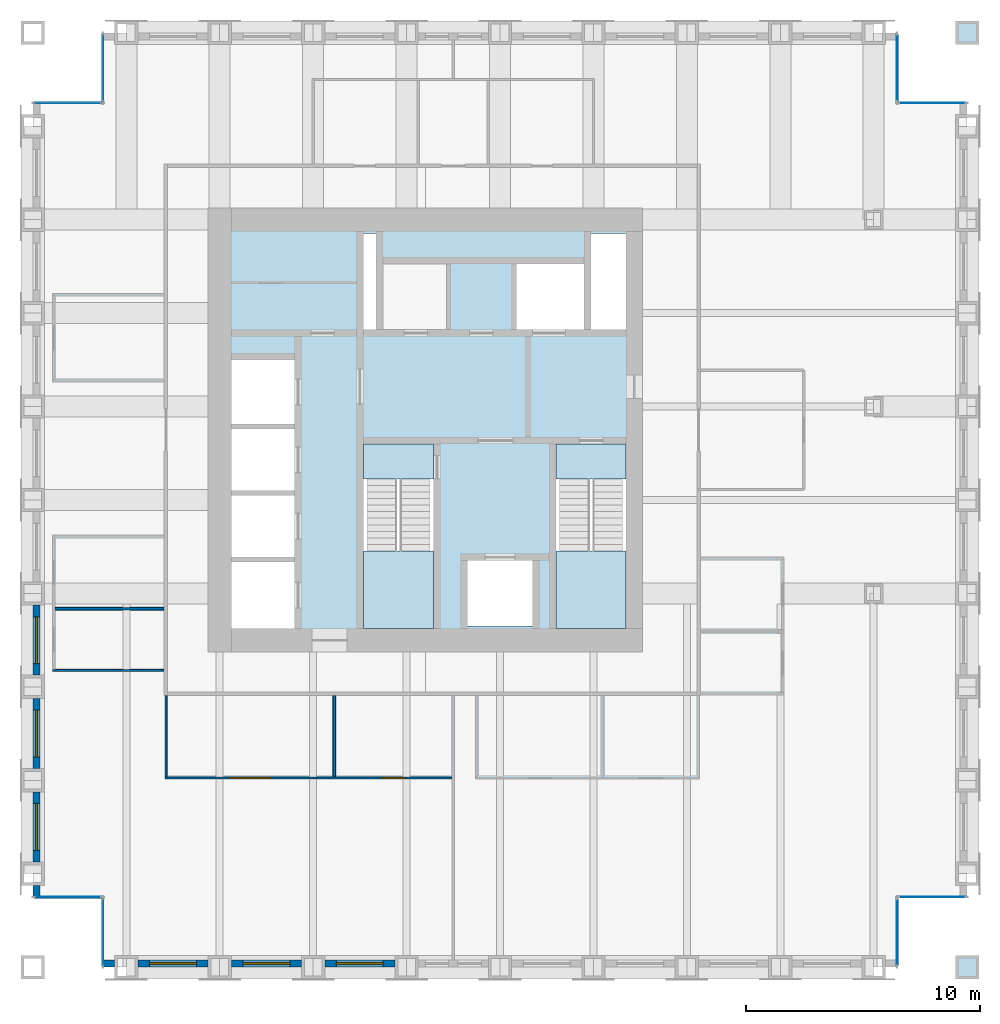
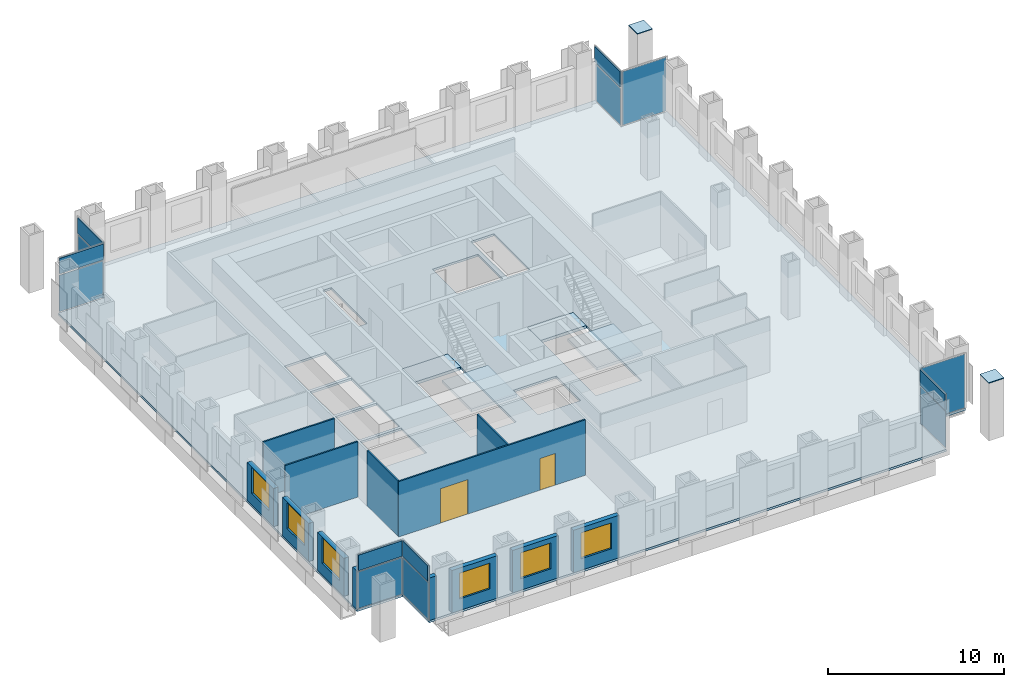
# One storey, part 7 of 12: 16 plates, 13 walls, 6 windows, 5 slabs, 2 doors, 8 openings, 16 elements without a shape of their own.
"""IFC4 building model written with IfcOpenShell, lengths in metres."""

import ifcopenshell
import ifcopenshell.guid

model = None  # the IFC model being written
_history = None  # IfcOwnerHistory: only IFC2X3 demands one
_inside = {}  # id of a spatial element -> (the spatial element, [elements in it])
_under = {}  # id of a project, library or spatial element -> (it, [spatial elements below it])
_declared = {}  # id of a project -> (the project, [libraries it declares])
_typed = {}  # id of a type object -> (the type object, [elements of that type])
_made_of = {}  # id of a material, layer set ... -> (it, [elements and type objects made of it])


def new_model(schema):
    """Start an empty IFC model of exactly this schema.

    Asked for "IFC4X3", IfcOpenShell would pick the latest addendum, in which some entities
    have other attributes; the version numbers below select the first issue.
    IFC2X3 requires an IfcOwnerHistory on every rooted entity: one is made here for all.
    """
    global model, _history
    if schema == "IFC4X3":
        model = ifcopenshell.file(schema_version=(4, 3, 0, 0))
    else:
        model = ifcopenshell.file(schema=schema)
    _inside.clear()
    _under.clear()
    _declared.clear()
    _typed.clear()
    _made_of.clear()
    _history = None
    if model.schema == "IFC2X3":
        org = make("IfcOrganization", Name="unknown")
        user = make(
            "IfcPersonAndOrganization",
            ThePerson=make("IfcPerson", FamilyName="unknown"),
            TheOrganization=org,
        )
        app = make(
            "IfcApplication",
            ApplicationDeveloper=org,
            Version="unknown",
            ApplicationFullName="unknown",
            ApplicationIdentifier="unknown",
        )
        _history = make(
            "IfcOwnerHistory",
            OwningUser=user,
            OwningApplication=app,
            ChangeAction="ADDED",
            CreationDate=0,
        )
    return model


def make(cls, **values):
    """One entity of the class cls with the attributes given. An attribute that is None is left unset."""
    return model.create_entity(
        cls, **{name: value for name, value in values.items() if value is not None}
    )


def rooted(cls, **values):
    """An entity with a GlobalId (a new one), such as an element, a storey or a relation."""
    return make(cls, GlobalId=ifcopenshell.guid.new(), OwnerHistory=_history, **values)


def si_unit(unit_type, name, prefix=None):
    """IfcSIUnit, for example si_unit("LENGTHUNIT", "METRE", prefix="MILLI")."""
    return make("IfcSIUnit", UnitType=unit_type, Prefix=prefix, Name=name)


def assignment(units):
    """IfcUnitAssignment: the units of a project."""
    return None if units is None else make("IfcUnitAssignment", Units=units)


def point(xyz):
    """IfcCartesianPoint."""
    return None if xyz is None else make("IfcCartesianPoint", Coordinates=xyz)


def direction(xyz):
    """IfcDirection."""
    return None if xyz is None else make("IfcDirection", DirectionRatios=xyz)


def frame(location, z_axis=None, x_axis=None):
    """IfcAxis2Placement3D, a coordinate frame: its origin and axes. An axis left out is left unset."""
    return make(
        "IfcAxis2Placement3D",
        Location=point(location),
        Axis=direction(z_axis),
        RefDirection=direction(x_axis),
    )


def frame_2d(location, x_axis=None):
    """IfcAxis2Placement2D, a coordinate frame in the plane: its origin and x axis."""
    return make(
        "IfcAxis2Placement2D", Location=point(location), RefDirection=direction(x_axis)
    )


def origin():
    """The frame at (0, 0, 0) with its axes left unset."""
    return frame((0.0, 0.0, 0.0))


def origin_2d():
    """The frame at (0, 0) in the plane with its x axis left unset."""
    return frame_2d((0.0, 0.0))


def place(relative_to, where):
    """IfcLocalPlacement: puts the frame where relative to a parent placement (None: the world)."""
    return make(
        "IfcLocalPlacement", PlacementRelTo=relative_to, RelativePlacement=where
    )


def context(
    kind, dimensions, precision=None, world=None, true_north=None, identifier=None
):
    """IfcGeometricRepresentationContext, for example the 3D "Model" context."""
    return make(
        "IfcGeometricRepresentationContext",
        ContextIdentifier=identifier,
        ContextType=kind,
        CoordinateSpaceDimension=dimensions,
        Precision=precision,
        WorldCoordinateSystem=world,
        TrueNorth=true_north,
    )


def subcontext(parent, identifier, kind, view, scale=None):
    """IfcGeometricRepresentationSubContext, for example "Body" below "Model"."""
    return make(
        "IfcGeometricRepresentationSubContext",
        ContextIdentifier=identifier,
        ContextType=kind,
        ParentContext=parent,
        TargetScale=scale,
        TargetView=view,
    )


def project(units=None, contexts=None):
    """IfcProject with its units and contexts."""
    return rooted(
        "IfcProject",
        Name="project",
        RepresentationContexts=contexts,
        UnitsInContext=assignment(units),
    )


def spatial(cls, under=None, at=None, **own):
    """A site, building, storey or space (cls), placed at a placement, below another one or the project."""
    s = rooted(cls, ObjectPlacement=at, **own)
    if under is not None:
        _under.setdefault(under.id(), (under, []))[1].append(s)
    return s


def polyline(points):
    """IfcPolyline through the points."""
    return make("IfcPolyline", Points=[point(p) for p in points])


def profile(cls, at=None, kind="AREA", **sizes):
    """A parametric profile (cls). Its sizes go by their IFC names, for example OverallWidth=200.0."""
    return make(cls, ProfileType=kind, Position=at, **sizes)


def rectangle(**sizes):
    """IfcRectangleProfileDef."""
    return profile("IfcRectangleProfileDef", **sizes)


def outline(outer, holes=None, kind="AREA"):
    """IfcArbitraryClosedProfileDef: a profile drawn as a closed curve; with holes, ...WithVoids."""
    if holes is None:
        return make("IfcArbitraryClosedProfileDef", ProfileType=kind, OuterCurve=outer)
    return make(
        "IfcArbitraryProfileDefWithVoids",
        ProfileType=kind,
        OuterCurve=outer,
        InnerCurves=holes,
    )


def extrude(swept, where, along, depth):
    """IfcExtrudedAreaSolid: the profile swept, set in the frame where, extruded along a direction by depth."""
    return make(
        "IfcExtrudedAreaSolid",
        SweptArea=swept,
        Position=where,
        ExtrudedDirection=direction(along),
        Depth=depth,
    )


def shape(context_of_items, identifier, shape_type, items):
    """IfcShapeRepresentation: the items that make up one representation, for example the "Body"."""
    return make(
        "IfcShapeRepresentation",
        ContextOfItems=context_of_items,
        RepresentationIdentifier=identifier,
        RepresentationType=shape_type,
        Items=items,
    )


def material(Name=None, Category=None):
    """IfcMaterial."""
    return make("IfcMaterial", Name=Name, Category=Category)


def layer(
    of_material, thickness, ventilated=None, Name=None, Category=None, Priority=None
):
    """IfcMaterialLayer: one layer of a wall or slab, of a material (None: an air gap)."""
    return make(
        "IfcMaterialLayer",
        Material=of_material,
        LayerThickness=thickness,
        IsVentilated=ventilated,
        Name=Name,
        Category=Category,
        Priority=Priority,
    )


def layer_set(layers, Name=None):
    """IfcMaterialLayerSet."""
    return make("IfcMaterialLayerSet", MaterialLayers=layers, LayerSetName=Name)


def made_of(thing, what):
    """Note that an element or type object is made of a material, layer set ...; save() writes the relation."""
    if what is not None:
        _made_of.setdefault(what.id(), (what, []))[1].append(thing)
    return thing


def type_object(cls, material=None, **own):
    """A type object (cls), such as IfcWallType, which elements share."""
    return made_of(rooted(cls, **own), material)


def element(
    cls,
    number,
    at=None,
    inside=None,
    cuts=None,
    type_object=None,
    material=None,
    context=None,
    identifier="Body",
    shape_type=None,
    held_by="IfcProductDefinitionShape",
    body=None,
    shapes=None,
    **own,
):
    """One element of the class cls, such as IfcWall. Its Tag is "e" and its number.

    at: its placement. inside: the storey or other place that contains it. cuts: it is an
    opening in that element (IfcRelVoidsElement). A single representation is given by context,
    identifier, shape_type and body (its items); several are given by shapes. held_by: the class
    of the entity that holds the representations. save() writes the other relations.
    """
    e = rooted(cls, Tag="e%d" % number, ObjectPlacement=at, **own)
    if body is not None:
        shapes = [shape(context, identifier, shape_type, body)]
    if shapes is not None:
        e.Representation = make(held_by, Representations=shapes)
    if inside is not None:
        _inside.setdefault(inside.id(), (inside, []))[1].append(e)
    if cuts is not None:
        rooted(
            "IfcRelVoidsElement", RelatingBuildingElement=cuts, RelatedOpeningElement=e
        )
    if type_object is not None:
        _typed.setdefault(type_object.id(), (type_object, []))[1].append(e)
    return made_of(e, material)


def fill(opening, filler):
    """IfcRelFillsElement: the door or window that sits in an opening."""
    return rooted(
        "IfcRelFillsElement",
        RelatingOpeningElement=opening,
        RelatedBuildingElement=filler,
    )


def aggregate(whole, parts):
    """IfcRelAggregates: a whole, such as a stair, and the parts it consists of."""
    return rooted("IfcRelAggregates", RelatingObject=whole, RelatedObjects=parts)


def save(model, path):
    """Write the relations noted so far, then the file.

    IfcRelAggregates (storeys below a building ...), IfcRelContainedInSpatialStructure (elements
    in a storey), IfcRelDefinesByType, IfcRelAssociatesMaterial and IfcRelDeclares: one each for
    every whole, place, type object, material and project.
    """
    for whole, parts in _under.values():
        aggregate(whole, parts)
    for where, things in _inside.values():
        rooted(
            "IfcRelContainedInSpatialStructure",
            RelatedElements=things,
            RelatingStructure=where,
        )
    for kind, things in _typed.values():
        rooted("IfcRelDefinesByType", RelatedObjects=things, RelatingType=kind)
    for what, things in _made_of.values():
        rooted("IfcRelAssociatesMaterial", RelatedObjects=things, RelatingMaterial=what)
    for by, libraries in _declared.values():
        rooted("IfcRelDeclares", RelatingContext=by, RelatedDefinitions=libraries)
    model.write(path)


model = new_model("IFC4")

# Units and contexts
model_context = context("Model", 3, precision=1e-05, world=origin(), true_north=direction((0.0, 1.0)))
body_context = subcontext(model_context, "Body", "Model", "MODEL_VIEW")
ifc_project = project(units=[si_unit("LENGTHUNIT", "METRE"), si_unit("AREAUNIT", "SQUARE_METRE"), si_unit("VOLUMEUNIT", "CUBIC_METRE"), si_unit("PLANEANGLEUNIT", "RADIAN"), si_unit("MASSUNIT", "GRAM", prefix="KILO")], contexts=[model_context])

# Site, building, storey
site_placement = place(None, origin())
site = spatial("IfcSite", under=ifc_project, at=site_placement, CompositionType="ELEMENT")
building_placement = place(site_placement, origin())
building = spatial("IfcBuilding", under=site, at=building_placement, Name="Rimbunsela Tower", CompositionType="ELEMENT")
storey_placement = place(building_placement, frame((0.0, 0.0, 266.199951171875)))
storey = spatial("IfcBuildingStorey", under=building, at=storey_placement, Name="L64", CompositionType="ELEMENT", Elevation=266.199951171875)

# Plates
ifc_material_1 = material(Name="Steel BJ 55 (fy 410 MPa)", Category="steel")
ifc_layer_1 = layer(ifc_material_1, 0.050048828125)
ifc_layer_set_1 = layer_set([ifc_layer_1], Name="End cap plate 50")
plate_type_1 = type_object("IfcPlateType", Name="End cap plate 50", PredefinedType="SHEET", material=ifc_layer_set_1)
for number, where, z_axis, x_axis, name in (
    (1, (50.0, 4.0, 4.0), (0.0, 0.0, 1.0), (1.0, 0.0, 0.0), "End cap Column C8 15/C L64"),
    (2, (50.0, 44.0, 4.0), (0.0, 0.0, 1.0), (1.0, 0.0, 0.0), "End cap Column C8 15/N L64"),
):
    element("IfcPlate", number, at=place(storey_placement, frame(where, z_axis=z_axis, x_axis=x_axis)), inside=storey, type_object=plate_type_1, Name=name, PredefinedType="SHEET", context=body_context, shape_type="SweptSolid", body=[
        extrude(rectangle(XDim=1.0, YDim=1.0, at=origin_2d()), origin(), (0.0, 0.0, 1.0), 0.050048828125),
    ])

# Slab
ifc_material_2 = material(Name="Concrete fc' 35 MPa", Category="concrete")
ifc_layer_2 = layer(ifc_material_2, 0.14990234375)
ifc_layer_set_2 = layer_set([ifc_layer_2], Name="Floor slab 150")
slab_type_1 = type_object("IfcSlabType", Name="Floor slab 150", PredefinedType="FLOOR", material=ifc_layer_set_2)
slab_1_placement = place(storey_placement, frame((0.0, 0.0, -0.14990234375)))
element("IfcSlab", 3, at=slab_1_placement, inside=storey, type_object=slab_type_1, Name="Floor slab L64", PredefinedType="FLOOR", context=body_context, shape_type="SweptSolid", body=[
    extrude(outline(polyline([(13.0, 4.0), (47.0, 4.0), (47.0, 7.0), (50.0, 7.0), (50.0, 41.0), (47.0, 41.0), (47.0, 44.0), (13.0, 44.0), (13.0, 41.0), (10.0, 41.0), (10.0, 7.0), (13.0, 7.0), (13.0, 4.0)]), holes=[polyline([(21.199951171875, 21.35009765625), (18.5, 21.35009765625), (18.5, 18.5), (21.199951171875, 18.5), (21.199951171875, 21.35009765625)]), polyline([(21.199951171875, 21.550048828125), (21.199951171875, 24.199951171875), (18.5, 24.199951171875), (18.5, 21.550048828125), (21.199951171875, 21.550048828125)]), polyline([(21.199951171875, 27.050048828125), (18.5, 27.050048828125), (18.5, 24.39990234375), (21.199951171875, 24.39990234375), (21.199951171875, 27.050048828125)]), polyline([(21.199951171875, 30.0), (18.5, 30.0), (18.5, 27.25), (21.199951171875, 27.25), (21.199951171875, 30.0)]), polyline([(27.14990234375, 26.39990234375), (24.14990234375, 26.39990234375), (24.14990234375, 18.60009765625), (27.14990234375, 18.60009765625), (27.14990234375, 26.39990234375)]), polyline([(24.699951171875, 31.300048828125), (24.699951171875, 35.39990234375), (24.14990234375, 35.39990234375), (24.14990234375, 31.300048828125), (24.699951171875, 31.300048828125)]), polyline([(31.39990234375, 21.39990234375), (28.60009765625, 21.39990234375), (28.60009765625, 18.60009765625), (31.39990234375, 18.60009765625), (31.39990234375, 21.39990234375)]), polyline([(33.60009765625, 34.10009765625), (30.60009765625, 34.10009765625), (30.60009765625, 31.300048828125), (33.60009765625, 31.300048828125), (33.60009765625, 34.10009765625)]), polyline([(35.39990234375, 18.60009765625), (35.39990234375, 26.39990234375), (32.39990234375, 26.39990234375), (32.39990234375, 18.60009765625), (35.39990234375, 18.60009765625)]), polyline([(35.39990234375, 31.300048828125), (35.39990234375, 35.39990234375), (33.89990234375, 35.39990234375), (33.89990234375, 31.300048828125), (35.39990234375, 31.300048828125)])]), origin(), (0.0, 0.0, 1.0), 0.14990234375),
])

# Curtain wall, plate
ifc_material_3 = material(Name="Aluminium curtain wall", Category="aluminium")
curtain_wall_type_1 = type_object("IfcCurtainWallType", Name="Corner glazing", PredefinedType="USERDEFINED", material=ifc_material_3)
curtain_wall_1_placement = place(storey_placement, origin())
curtain_wall_1 = element("IfcCurtainWall", 4, at=curtain_wall_1_placement, inside=storey, type_object=curtain_wall_type_1, Name="Corner glazing L64", ObjectType="CORNER GLAZING", PredefinedType="USERDEFINED")
ifc_material_4 = material(Name="Clear double glazing", Category="glass")
ifc_layer_3 = layer(ifc_material_4, 0.028076171875)
ifc_layer_set_3 = layer_set([ifc_layer_3], Name="Glazed panel clear")
plate_type_2 = type_object("IfcPlateType", Name="Glazed panel clear", PredefinedType="CURTAIN_PANEL", material=ifc_layer_set_3)
plate_1_placement = place(storey_placement, frame((47.0, 5.5, 0.06005859375), z_axis=(0.0, 0.0, 1.0), x_axis=(0.0, 1.0, 0.0)))
plate_1 = element("IfcPlate", 5, at=plate_1_placement, type_object=plate_type_2, Name="CW5 panel 1.1", PredefinedType="CURTAIN_PANEL", context=body_context, shape_type="SweptSolid", body=[
    extrude(rectangle(XDim=2.8798828125, YDim=0.028076171875, at=origin_2d()), origin(), (0.0, 0.0, 1.0), 2.530029296875),
])
aggregate(curtain_wall_1, [plate_1])

curtain_wall_2_placement = place(storey_placement, origin())
curtain_wall_2 = element("IfcCurtainWall", 6, at=curtain_wall_2_placement, inside=storey, type_object=curtain_wall_type_1, Name="Corner glazing L64", ObjectType="CORNER GLAZING", PredefinedType="USERDEFINED")
plate_2_placement = place(storey_placement, frame((48.5, 7.0, 0.06005859375), z_axis=(0.0, 0.0, 1.0), x_axis=(1.0, 0.0, 0.0)))
plate_2 = element("IfcPlate", 7, at=plate_2_placement, type_object=plate_type_2, Name="CW5 panel 1.1", PredefinedType="CURTAIN_PANEL", context=body_context, shape_type="SweptSolid", body=[
    extrude(rectangle(XDim=2.8798828125, YDim=0.028076171875, at=origin_2d()), origin(), (0.0, 0.0, 1.0), 3.72998046875),
])
aggregate(curtain_wall_2, [plate_2])

curtain_wall_3_placement = place(storey_placement, origin())
curtain_wall_3 = element("IfcCurtainWall", 8, at=curtain_wall_3_placement, inside=storey, type_object=curtain_wall_type_1, Name="Corner glazing L64", ObjectType="CORNER GLAZING", PredefinedType="USERDEFINED")
plate_3_placement = place(storey_placement, frame((48.5, 41.0, 0.06005859375), z_axis=(0.0, 0.0, 1.0), x_axis=(-1.0, 0.0, 0.0)))
plate_3 = element("IfcPlate", 9, at=plate_3_placement, type_object=plate_type_2, Name="CW5 panel 1.1", PredefinedType="CURTAIN_PANEL", context=body_context, shape_type="SweptSolid", body=[
    extrude(rectangle(XDim=2.8798828125, YDim=0.028076171875, at=origin_2d()), origin(), (0.0, 0.0, 1.0), 3.72998046875),
])
aggregate(curtain_wall_3, [plate_3])

curtain_wall_4_placement = place(storey_placement, origin())
curtain_wall_4 = element("IfcCurtainWall", 10, at=curtain_wall_4_placement, inside=storey, type_object=curtain_wall_type_1, Name="Corner glazing L64", ObjectType="CORNER GLAZING", PredefinedType="USERDEFINED")
plate_4_placement = place(storey_placement, frame((47.0, 42.5, 0.06005859375), z_axis=(0.0, 0.0, 1.0), x_axis=(0.0, 1.0, 0.0)))
plate_4 = element("IfcPlate", 11, at=plate_4_placement, type_object=plate_type_2, Name="CW5 panel 1.1", PredefinedType="CURTAIN_PANEL", context=body_context, shape_type="SweptSolid", body=[
    extrude(rectangle(XDim=2.8798828125, YDim=0.028076171875, at=origin_2d()), origin(), (0.0, 0.0, 1.0), 2.530029296875),
])
aggregate(curtain_wall_4, [plate_4])

curtain_wall_5_placement = place(storey_placement, origin())
curtain_wall_5 = element("IfcCurtainWall", 12, at=curtain_wall_5_placement, inside=storey, type_object=curtain_wall_type_1, Name="Corner glazing L64", ObjectType="CORNER GLAZING", PredefinedType="USERDEFINED")
plate_5_placement = place(storey_placement, frame((13.0, 42.5, 0.06005859375), z_axis=(0.0, 0.0, 1.0), x_axis=(0.0, -1.0, 0.0)))
plate_5 = element("IfcPlate", 13, at=plate_5_placement, type_object=plate_type_2, Name="CW5 panel 1.1", PredefinedType="CURTAIN_PANEL", context=body_context, shape_type="SweptSolid", body=[
    extrude(rectangle(XDim=2.8798828125, YDim=0.028076171875, at=origin_2d()), origin(), (0.0, 0.0, 1.0), 2.530029296875),
])
aggregate(curtain_wall_5, [plate_5])

curtain_wall_6_placement = place(storey_placement, origin())
curtain_wall_6 = element("IfcCurtainWall", 14, at=curtain_wall_6_placement, inside=storey, type_object=curtain_wall_type_1, Name="Corner glazing L64", ObjectType="CORNER GLAZING", PredefinedType="USERDEFINED")
plate_6_placement = place(storey_placement, frame((11.5, 41.0, 0.06005859375), z_axis=(0.0, 0.0, 1.0), x_axis=(-1.0, 0.0, 0.0)))
plate_6 = element("IfcPlate", 15, at=plate_6_placement, type_object=plate_type_2, Name="CW5 panel 1.1", PredefinedType="CURTAIN_PANEL", context=body_context, shape_type="SweptSolid", body=[
    extrude(rectangle(XDim=2.8798828125, YDim=0.028076171875, at=origin_2d()), origin(), (0.0, 0.0, 1.0), 2.530029296875),
])
aggregate(curtain_wall_6, [plate_6])

curtain_wall_7_placement = place(storey_placement, origin())
curtain_wall_7 = element("IfcCurtainWall", 16, at=curtain_wall_7_placement, inside=storey, type_object=curtain_wall_type_1, Name="Corner glazing L64", ObjectType="CORNER GLAZING", PredefinedType="USERDEFINED")
plate_7_placement = place(storey_placement, frame((11.5, 7.0, 0.06005859375), z_axis=(0.0, 0.0, 1.0), x_axis=(1.0, 0.0, 0.0)))
plate_7 = element("IfcPlate", 17, at=plate_7_placement, type_object=plate_type_2, Name="CW5 panel 1.1", PredefinedType="CURTAIN_PANEL", context=body_context, shape_type="SweptSolid", body=[
    extrude(rectangle(XDim=2.8798828125, YDim=0.028076171875, at=origin_2d()), origin(), (0.0, 0.0, 1.0), 2.530029296875),
])
aggregate(curtain_wall_7, [plate_7])

curtain_wall_8_placement = place(storey_placement, origin())
curtain_wall_8 = element("IfcCurtainWall", 18, at=curtain_wall_8_placement, inside=storey, type_object=curtain_wall_type_1, Name="Corner glazing L64", ObjectType="CORNER GLAZING", PredefinedType="USERDEFINED")
plate_8_placement = place(storey_placement, frame((13.0, 5.5, 0.06005859375), z_axis=(0.0, 0.0, 1.0), x_axis=(0.0, -1.0, 0.0)))
plate_8 = element("IfcPlate", 19, at=plate_8_placement, type_object=plate_type_2, Name="CW5 panel 1.1", PredefinedType="CURTAIN_PANEL", context=body_context, shape_type="SweptSolid", body=[
    extrude(rectangle(XDim=2.8798828125, YDim=0.028076171875, at=origin_2d()), origin(), (0.0, 0.0, 1.0), 2.530029296875),
])
aggregate(curtain_wall_8, [plate_8])

ifc_material_5 = material(Name="Aluminium curtain wall", Category="aluminium")
curtain_wall_type_2 = type_object("IfcCurtainWallType", Name="Spandrel wall", PredefinedType="USERDEFINED", material=ifc_material_5)
curtain_wall_9_placement = place(storey_placement, origin())
curtain_wall_9 = element("IfcCurtainWall", 20, at=curtain_wall_9_placement, inside=storey, type_object=curtain_wall_type_2, Name="Spandrel wall L64", ObjectType="SPANDREL WALL", PredefinedType="USERDEFINED")
ifc_material_6 = material(Name="Insulated aluminium spandrel panel", Category="aluminium")
ifc_layer_4 = layer(ifc_material_6, 0.10009765625)
ifc_layer_set_4 = layer_set([ifc_layer_4], Name="Insulated panel 100")
plate_type_3 = type_object("IfcPlateType", Name="Insulated panel 100", PredefinedType="CURTAIN_PANEL", material=ifc_layer_set_4)
plate_9_placement = place(storey_placement, frame((47.0, 5.5, 2.7099609375), z_axis=(0.0, 0.0, 1.0), x_axis=(0.0, 1.0, 0.0)))
plate_9 = element("IfcPlate", 21, at=plate_9_placement, type_object=plate_type_3, Name="CW7 panel 1.1", PredefinedType="CURTAIN_PANEL", context=body_context, shape_type="SweptSolid", body=[
    extrude(rectangle(XDim=2.8798828125, YDim=0.10009765625, at=origin_2d()), origin(), (0.0, 0.0, 1.0), 1.080078125),
])
aggregate(curtain_wall_9, [plate_9])

curtain_wall_10_placement = place(storey_placement, origin())
curtain_wall_10 = element("IfcCurtainWall", 22, at=curtain_wall_10_placement, inside=storey, type_object=curtain_wall_type_2, Name="Spandrel wall L64", ObjectType="SPANDREL WALL", PredefinedType="USERDEFINED")
plate_10_placement = place(storey_placement, frame((47.0, 42.5, 2.7099609375), z_axis=(0.0, 0.0, 1.0), x_axis=(0.0, 1.0, 0.0)))
plate_10 = element("IfcPlate", 23, at=plate_10_placement, type_object=plate_type_3, Name="CW7 panel 1.1", PredefinedType="CURTAIN_PANEL", context=body_context, shape_type="SweptSolid", body=[
    extrude(rectangle(XDim=2.8798828125, YDim=0.10009765625, at=origin_2d()), origin(), (0.0, 0.0, 1.0), 1.080078125),
])
aggregate(curtain_wall_10, [plate_10])

curtain_wall_11_placement = place(storey_placement, origin())
curtain_wall_11 = element("IfcCurtainWall", 24, at=curtain_wall_11_placement, inside=storey, type_object=curtain_wall_type_2, Name="Spandrel wall L64", ObjectType="SPANDREL WALL", PredefinedType="USERDEFINED")
plate_11_placement = place(storey_placement, frame((13.0, 42.5, 2.7099609375), z_axis=(0.0, 0.0, 1.0), x_axis=(0.0, -1.0, 0.0)))
plate_11 = element("IfcPlate", 25, at=plate_11_placement, type_object=plate_type_3, Name="CW7 panel 1.1", PredefinedType="CURTAIN_PANEL", context=body_context, shape_type="SweptSolid", body=[
    extrude(rectangle(XDim=2.8798828125, YDim=0.10009765625, at=origin_2d()), origin(), (0.0, 0.0, 1.0), 1.080078125),
])
aggregate(curtain_wall_11, [plate_11])

curtain_wall_12_placement = place(storey_placement, origin())
curtain_wall_12 = element("IfcCurtainWall", 26, at=curtain_wall_12_placement, inside=storey, type_object=curtain_wall_type_2, Name="Spandrel wall L64", ObjectType="SPANDREL WALL", PredefinedType="USERDEFINED")
plate_12_placement = place(storey_placement, frame((11.5, 41.0, 2.7099609375), z_axis=(0.0, 0.0, 1.0), x_axis=(-1.0, 0.0, 0.0)))
plate_12 = element("IfcPlate", 27, at=plate_12_placement, type_object=plate_type_3, Name="CW7 panel 1.1", PredefinedType="CURTAIN_PANEL", context=body_context, shape_type="SweptSolid", body=[
    extrude(rectangle(XDim=2.8798828125, YDim=0.10009765625, at=origin_2d()), origin(), (0.0, 0.0, 1.0), 1.080078125),
])
aggregate(curtain_wall_12, [plate_12])

curtain_wall_13_placement = place(storey_placement, origin())
curtain_wall_13 = element("IfcCurtainWall", 28, at=curtain_wall_13_placement, inside=storey, type_object=curtain_wall_type_2, Name="Spandrel wall L64", ObjectType="SPANDREL WALL", PredefinedType="USERDEFINED")
plate_13_placement = place(storey_placement, frame((11.5, 7.0, 2.7099609375), z_axis=(0.0, 0.0, 1.0), x_axis=(1.0, 0.0, 0.0)))
plate_13 = element("IfcPlate", 29, at=plate_13_placement, type_object=plate_type_3, Name="CW7 panel 1.1", PredefinedType="CURTAIN_PANEL", context=body_context, shape_type="SweptSolid", body=[
    extrude(rectangle(XDim=2.8798828125, YDim=0.10009765625, at=origin_2d()), origin(), (0.0, 0.0, 1.0), 1.080078125),
])
aggregate(curtain_wall_13, [plate_13])

curtain_wall_14_placement = place(storey_placement, origin())
curtain_wall_14 = element("IfcCurtainWall", 30, at=curtain_wall_14_placement, inside=storey, type_object=curtain_wall_type_2, Name="Spandrel wall L64", ObjectType="SPANDREL WALL", PredefinedType="USERDEFINED")
plate_14_placement = place(storey_placement, frame((13.0, 5.5, 2.7099609375), z_axis=(0.0, 0.0, 1.0), x_axis=(0.0, -1.0, 0.0)))
plate_14 = element("IfcPlate", 31, at=plate_14_placement, type_object=plate_type_3, Name="CW7 panel 1.1", PredefinedType="CURTAIN_PANEL", context=body_context, shape_type="SweptSolid", body=[
    extrude(rectangle(XDim=2.8798828125, YDim=0.10009765625, at=origin_2d()), origin(), (0.0, 0.0, 1.0), 1.080078125),
])
aggregate(curtain_wall_14, [plate_14])

# Stair, slabs
ifc_material_7 = material(Name="Concrete fc' 35 MPa", Category="concrete")
stair_type = type_object("IfcStairType", Name="Exit stair 24 risers", PredefinedType="HALF_TURN_STAIR", material=ifc_material_7)
stair_1_placement = place(storey_placement, origin())
stair_1 = element("IfcStair", 32, at=stair_1_placement, inside=storey, type_object=stair_type, Name="Exit stair A L64", PredefinedType="HALF_TURN_STAIR")
ifc_material_8 = material(Name="Concrete fc' 35 MPa", Category="concrete")
ifc_layer_5 = layer(ifc_material_8, 0.199951171875)
ifc_layer_set_5 = layer_set([ifc_layer_5], Name="Stair landing 200")
slab_type_2 = type_object("IfcSlabType", Name="Stair landing 200", PredefinedType="LANDING", material=ifc_layer_set_5)
slab_2_placement = place(storey_placement, frame((0.0, 0.0, -0.199951171875)))
slab_2 = element("IfcSlab", 33, at=slab_2_placement, type_object=slab_type_2, Name="ST-A landing 1", PredefinedType="LANDING", context=body_context, shape_type="SweptSolid", body=[
    extrude(outline(polyline([(24.14990234375, 24.89990234375), (27.14990234375, 24.89990234375), (27.14990234375, 26.39990234375), (24.14990234375, 26.39990234375), (24.14990234375, 24.89990234375)])), origin(), (0.0, 0.0, 1.0), 0.199951171875),
])
slab_3_placement = place(storey_placement, frame((0.0, 0.0, 1.800048828125)))
slab_3 = element("IfcSlab", 34, at=slab_3_placement, type_object=slab_type_2, Name="ST-A landing 2", PredefinedType="LANDING", context=body_context, shape_type="SweptSolid", body=[
    extrude(outline(polyline([(24.14990234375, 18.5), (27.14990234375, 18.5), (27.14990234375, 21.820068359375), (24.14990234375, 21.820068359375), (24.14990234375, 18.5)])), origin(), (0.0, 0.0, 1.0), 0.199951171875),
])
aggregate(stair_1, [slab_2, slab_3])

stair_2_placement = place(storey_placement, origin())
stair_2 = element("IfcStair", 35, at=stair_2_placement, inside=storey, type_object=stair_type, Name="Exit stair B L64", PredefinedType="HALF_TURN_STAIR")
slab_4_placement = place(storey_placement, frame((0.0, 0.0, -0.199951171875)))
slab_4 = element("IfcSlab", 36, at=slab_4_placement, type_object=slab_type_2, Name="ST-B landing 1", PredefinedType="LANDING", context=body_context, shape_type="SweptSolid", body=[
    extrude(outline(polyline([(32.39990234375, 24.89990234375), (35.39990234375, 24.89990234375), (35.39990234375, 26.39990234375), (32.39990234375, 26.39990234375), (32.39990234375, 24.89990234375)])), origin(), (0.0, 0.0, 1.0), 0.199951171875),
])
slab_5_placement = place(storey_placement, frame((0.0, 0.0, 1.800048828125)))
slab_5 = element("IfcSlab", 37, at=slab_5_placement, type_object=slab_type_2, Name="ST-B landing 2", PredefinedType="LANDING", context=body_context, shape_type="SweptSolid", body=[
    extrude(outline(polyline([(32.39990234375, 18.5), (35.39990234375, 18.5), (35.39990234375, 21.820068359375), (32.39990234375, 21.820068359375), (32.39990234375, 18.5)])), origin(), (0.0, 0.0, 1.0), 0.199951171875),
])
aggregate(stair_2, [slab_4, slab_5])

# Wall, openings, doors
ifc_material_9 = material(Name="Gypsum board on steel studs", Category="steel")
ifc_layer_6 = layer(ifc_material_9, 0.10009765625)
ifc_layer_set_6 = layer_set([ifc_layer_6], Name="Office partition 100")
wall_type_1 = type_object("IfcWallType", Name="Office partition 100", PredefinedType="PARTITIONING", material=ifc_layer_set_6)
wall_1_placement = place(storey_placement, frame((15.64990234375, 12.10009765625, 0.0), z_axis=(0.0, 0.0, 1.0), x_axis=(1.0, 0.0, 0.0)))
wall_1 = element("IfcWall", 38, at=wall_1_placement, inside=storey, type_object=wall_type_1, Name="Office partition", PredefinedType="PARTITIONING", context=body_context, shape_type="SweptSolid", body=[
    extrude(rectangle(XDim=12.2890625, YDim=0.10009765625, at=frame_2d((6.14453125, 0.0))), origin(), (0.0, 0.0, 1.0), 3.85009765625),
])
opening_1_placement = place(wall_1_placement, frame((2.75, 0.0, 0.0)))
opening_1 = element("IfcOpeningElement", 39, at=opening_1_placement, cuts=wall_1, Name="Opening D18", PredefinedType="OPENING", context=body_context, shape_type="SweptSolid", body=[
    extrude(rectangle(XDim=1.800048828125, YDim=2.39990234375, at=frame_2d((0.89990234375, 1.199951171875))), frame((0.0, 0.06005859375, 0.0), z_axis=(0.0, -1.0, 0.0), x_axis=(1.0, 0.0, 0.0)), (0.0, 0.0, 1.0), 0.1201171875),
])
opening_2_placement = place(wall_1_placement, frame((9.299560546875, 0.0, 0.0)))
opening_2 = element("IfcOpeningElement", 40, at=opening_2_placement, cuts=wall_1, Name="Opening D16", PredefinedType="OPENING", context=body_context, shape_type="SweptSolid", body=[
    extrude(rectangle(XDim=1.0, YDim=2.199951171875, at=frame_2d((0.5, 1.10009765625))), frame((0.0, 0.06005859375, 0.0), z_axis=(0.0, -1.0, 0.0), x_axis=(1.0, 0.0, 0.0)), (0.0, 0.0, 1.0), 0.1201171875),
])
ifc_material_10 = material(Name="Glazed aluminium door", Category="aluminium")
door_type_1 = type_object("IfcDoorType", Name="Boardroom door 1800 glazed", OperationType="DOUBLE_DOOR_DOUBLE_SWING", PredefinedType="DOOR", material=ifc_material_10)
door_1_placement = place(opening_1_placement, origin())
door_1 = element("IfcDoor", 41, at=door_1_placement, inside=storey, type_object=door_type_1, Name="Boardroom door", OperationType="DOUBLE_DOOR_DOUBLE_SWING", OverallHeight=2.39990234375, OverallWidth=1.800048828125, PredefinedType="DOOR", context=body_context, shape_type="SweptSolid", body=[
    extrude(rectangle(XDim=1.800048828125, YDim=2.39990234375, at=frame_2d((0.89990234375, 1.199951171875))), frame((0.0, 0.02490234375, 0.0), z_axis=(0.0, -1.0, 0.0), x_axis=(1.0, 0.0, 0.0)), (0.0, 0.0, 1.0), 0.050048828125),
])
fill(opening_1, door_1)
ifc_material_11 = material(Name="Timber door", Category="wood")
door_type_2 = type_object("IfcDoorType", Name="Office door 1000", OperationType="SINGLE_SWING_LEFT", PredefinedType="DOOR", material=ifc_material_11)
door_2_placement = place(opening_2_placement, origin())
door_2 = element("IfcDoor", 42, at=door_2_placement, inside=storey, type_object=door_type_2, Name="Office door", OperationType="SINGLE_SWING_LEFT", OverallHeight=2.199951171875, OverallWidth=1.0, PredefinedType="DOOR", context=body_context, shape_type="SweptSolid", body=[
    extrude(rectangle(XDim=1.0, YDim=2.199951171875, at=frame_2d((0.5, 1.10009765625))), frame((0.0, 0.02490234375, 0.0), z_axis=(0.0, -1.0, 0.0), x_axis=(1.0, 0.0, 0.0)), (0.0, 0.0, 1.0), 0.050048828125),
])
fill(opening_2, door_2)

# Walls
wall_2_placement = place(storey_placement, frame((10.85009765625, 16.699951171875, 0.0), z_axis=(0.0, 0.0, 1.0), x_axis=(1.0, 0.0, 0.0)))
element("IfcWall", 43, at=wall_2_placement, inside=storey, type_object=wall_type_1, Name="Office partition", PredefinedType="PARTITIONING", context=body_context, shape_type="SweptSolid", body=[
    extrude(rectangle(XDim=4.77490234375, YDim=0.10009765625, at=frame_2d((2.387451171875, 0.0))), origin(), (0.0, 0.0, 1.0), 3.85009765625),
])
wall_3_placement = place(storey_placement, frame((10.949951171875, 19.35009765625, 0.0), z_axis=(0.0, 0.0, 1.0), x_axis=(1.0, 0.0, 0.0)))
element("IfcWall", 44, at=wall_3_placement, inside=storey, type_object=wall_type_1, Name="Office partition", PredefinedType="PARTITIONING", context=body_context, shape_type="SweptSolid", body=[
    extrude(rectangle(XDim=4.675048828125, YDim=0.10009765625, at=frame_2d((2.33740234375, 0.0))), origin(), (0.0, 0.0, 1.0), 3.85009765625),
])
for number, where, z_axis, x_axis, name in (
    (45, (15.699951171875, 12.14990234375, 0.0), (0.0, 0.0, 1.0), (0.0, 1.0, 0.0), "Office partition"),
    (46, (22.89990234375, 12.14990234375, 0.0), (0.0, 0.0, 1.0), (0.0, 1.0, 0.0), "Office partition"),
):
    element("IfcWall", number, at=place(storey_placement, frame(where, z_axis=z_axis, x_axis=x_axis)), inside=storey, type_object=wall_type_1, Name=name, PredefinedType="PARTITIONING", context=body_context, shape_type="SweptSolid", body=[
        extrude(rectangle(XDim=3.47509765625, YDim=0.10009765625, at=frame_2d((1.737548828125, 0.0))), origin(), (0.0, 0.0, 1.0), 3.85009765625),
    ])
ifc_material_12 = material(Name="Precast concrete fc' 35 MPa", Category="concrete")
ifc_layer_7 = layer(ifc_material_12, 0.300048828125)
ifc_layer_set_7 = layer_set([ifc_layer_7], Name="Precast concrete fc' 35 MPa")
wall_type_2 = type_object("IfcWallType", Name="Precast facade panel 300", PredefinedType="ELEMENTEDWALL", material=ifc_layer_set_7)
wall_4_placement = place(storey_placement, frame((13.030029296875, 4.14990234375, 0.0), z_axis=(0.0, 0.0, 1.0), x_axis=(1.0, 0.0, 0.0)))
element("IfcWall", 47, at=wall_4_placement, inside=storey, type_object=wall_type_2, Name="Facade panel S L64", PredefinedType="ELEMENTEDWALL", context=body_context, shape_type="SweptSolid", body=[
    extrude(rectangle(XDim=0.469970703125, YDim=0.300048828125, at=frame_2d((0.23486328125, 0.0))), origin(), (0.0, 0.0, 1.0), 2.949951171875),
])

# Wall, opening, window
wall_5_placement = place(storey_placement, frame((14.5, 4.14990234375, 0.0), z_axis=(0.0, 0.0, 1.0), x_axis=(1.0, 0.0, 0.0)))
wall_5 = element("IfcWall", 48, at=wall_5_placement, inside=storey, type_object=wall_type_2, Name="Facade panel S L64", PredefinedType="ELEMENTEDWALL", context=body_context, shape_type="SweptSolid", body=[
    extrude(rectangle(XDim=3.0, YDim=0.300048828125, at=frame_2d((1.5, 0.0))), origin(), (0.0, 0.0, 1.0), 2.949951171875),
])
opening_3_placement = place(wall_5_placement, frame((0.5, 0.0, 0.800048828125)))
opening_3 = element("IfcOpeningElement", 49, at=opening_3_placement, cuts=wall_5, Name="Opening W7", PredefinedType="OPENING", context=body_context, shape_type="SweptSolid", body=[
    extrude(rectangle(XDim=2.0, YDim=1.800048828125, at=frame_2d((1.0, 0.89990234375))), frame((0.0, 0.159912109375, 0.0), z_axis=(0.0, -1.0, 0.0), x_axis=(1.0, 0.0, 0.0)), (0.0, 0.0, 1.0), 0.320068359375),
])
ifc_material_13 = material(Name="Clear glass in aluminium frame", Category="aluminium")
window_type = type_object("IfcWindowType", Name="Window W7 2000x1800", PartitioningType="DOUBLE_PANEL_VERTICAL", PredefinedType="WINDOW", material=ifc_material_13)
window_1_placement = place(opening_3_placement, origin())
window_1 = element("IfcWindow", 50, at=window_1_placement, inside=storey, type_object=window_type, Name="Window L64", OverallHeight=1.800048828125, OverallWidth=2.0, PartitioningType="SINGLE_PANEL", PredefinedType="WINDOW", context=body_context, shape_type="SweptSolid", body=[
    extrude(rectangle(XDim=2.0, YDim=1.800048828125, at=frame_2d((1.0, 0.89990234375))), frame((0.0, 0.030029296875, 0.0), z_axis=(0.0, -1.0, 0.0), x_axis=(1.0, 0.0, 0.0)), (0.0, 0.0, 1.0), 0.06005859375),
])
fill(opening_3, window_1)

wall_6_placement = place(storey_placement, frame((18.5, 4.14990234375, 0.0), z_axis=(0.0, 0.0, 1.0), x_axis=(1.0, 0.0, 0.0)))
wall_6 = element("IfcWall", 51, at=wall_6_placement, inside=storey, type_object=wall_type_2, Name="Facade panel S L64", PredefinedType="ELEMENTEDWALL", context=body_context, shape_type="SweptSolid", body=[
    extrude(rectangle(XDim=3.0, YDim=0.300048828125, at=frame_2d((1.5, 0.0))), origin(), (0.0, 0.0, 1.0), 2.949951171875),
])
opening_4_placement = place(wall_6_placement, frame((0.5, 0.0, 0.800048828125)))
opening_4 = element("IfcOpeningElement", 52, at=opening_4_placement, cuts=wall_6, Name="Opening W7", PredefinedType="OPENING", context=body_context, shape_type="SweptSolid", body=[
    extrude(rectangle(XDim=2.0, YDim=1.800048828125, at=frame_2d((1.0, 0.89990234375))), frame((0.0, 0.159912109375, 0.0), z_axis=(0.0, -1.0, 0.0), x_axis=(1.0, 0.0, 0.0)), (0.0, 0.0, 1.0), 0.320068359375),
])
window_2_placement = place(opening_4_placement, origin())
window_2 = element("IfcWindow", 53, at=window_2_placement, inside=storey, type_object=window_type, Name="Window L64", OverallHeight=1.800048828125, OverallWidth=2.0, PartitioningType="SINGLE_PANEL", PredefinedType="WINDOW", context=body_context, shape_type="SweptSolid", body=[
    extrude(rectangle(XDim=2.0, YDim=1.800048828125, at=frame_2d((1.0, 0.89990234375))), frame((0.0, 0.030029296875, 0.0), z_axis=(0.0, -1.0, 0.0), x_axis=(1.0, 0.0, 0.0)), (0.0, 0.0, 1.0), 0.06005859375),
])
fill(opening_4, window_2)

wall_7_placement = place(storey_placement, frame((22.5, 4.14990234375, 0.0), z_axis=(0.0, 0.0, 1.0), x_axis=(1.0, 0.0, 0.0)))
wall_7 = element("IfcWall", 54, at=wall_7_placement, inside=storey, type_object=wall_type_2, Name="Facade panel S L64", PredefinedType="ELEMENTEDWALL", context=body_context, shape_type="SweptSolid", body=[
    extrude(rectangle(XDim=3.0, YDim=0.300048828125, at=frame_2d((1.5, 0.0))), origin(), (0.0, 0.0, 1.0), 2.949951171875),
])
opening_5_placement = place(wall_7_placement, frame((0.5, 0.0, 0.800048828125)))
opening_5 = element("IfcOpeningElement", 55, at=opening_5_placement, cuts=wall_7, Name="Opening W7", PredefinedType="OPENING", context=body_context, shape_type="SweptSolid", body=[
    extrude(rectangle(XDim=2.0, YDim=1.800048828125, at=frame_2d((1.0, 0.89990234375))), frame((0.0, 0.159912109375, 0.0), z_axis=(0.0, -1.0, 0.0), x_axis=(1.0, 0.0, 0.0)), (0.0, 0.0, 1.0), 0.320068359375),
])
window_3_placement = place(opening_5_placement, origin())
window_3 = element("IfcWindow", 56, at=window_3_placement, inside=storey, type_object=window_type, Name="Window L64", OverallHeight=1.800048828125, OverallWidth=2.0, PartitioningType="SINGLE_PANEL", PredefinedType="WINDOW", context=body_context, shape_type="SweptSolid", body=[
    extrude(rectangle(XDim=2.0, YDim=1.800048828125, at=frame_2d((1.0, 0.89990234375))), frame((0.0, 0.030029296875, 0.0), z_axis=(0.0, -1.0, 0.0), x_axis=(1.0, 0.0, 0.0)), (0.0, 0.0, 1.0), 0.06005859375),
])
fill(opening_5, window_3)

# Wall
wall_8_placement = place(storey_placement, frame((10.14990234375, 7.5, 0.0), z_axis=(0.0, 0.0, 1.0), x_axis=(0.0, -1.0, 0.0)))
element("IfcWall", 57, at=wall_8_placement, inside=storey, type_object=wall_type_2, Name="Facade panel W L64", PredefinedType="ELEMENTEDWALL", context=body_context, shape_type="SweptSolid", body=[
    extrude(rectangle(XDim=0.469970703125, YDim=0.300048828125, at=frame_2d((0.23486328125, 0.0))), origin(), (0.0, 0.0, 1.0), 2.650146484375),
])

# Wall, opening, window
wall_9_placement = place(storey_placement, frame((10.14990234375, 11.5, 0.0), z_axis=(0.0, 0.0, 1.0), x_axis=(0.0, -1.0, 0.0)))
wall_9 = element("IfcWall", 58, at=wall_9_placement, inside=storey, type_object=wall_type_2, Name="Facade panel W L64", PredefinedType="ELEMENTEDWALL", context=body_context, shape_type="SweptSolid", body=[
    extrude(rectangle(XDim=3.0, YDim=0.300048828125, at=frame_2d((1.5, 0.0))), origin(), (0.0, 0.0, 1.0), 2.650146484375),
])
opening_6_placement = place(wall_9_placement, frame((0.5, 0.0, 0.800048828125)))
opening_6 = element("IfcOpeningElement", 59, at=opening_6_placement, cuts=wall_9, Name="Opening W7", PredefinedType="OPENING", context=body_context, shape_type="SweptSolid", body=[
    extrude(rectangle(XDim=2.0, YDim=1.800048828125, at=frame_2d((1.0, 0.89990234375))), frame((0.0, 0.159912109375, 0.0), z_axis=(0.0, -1.0, 0.0), x_axis=(1.0, 0.0, 0.0)), (0.0, 0.0, 1.0), 0.320068359375),
])
window_4_placement = place(opening_6_placement, origin())
window_4 = element("IfcWindow", 60, at=window_4_placement, inside=storey, type_object=window_type, Name="Window L64", OverallHeight=1.800048828125, OverallWidth=2.0, PartitioningType="SINGLE_PANEL", PredefinedType="WINDOW", context=body_context, shape_type="SweptSolid", body=[
    extrude(rectangle(XDim=2.0, YDim=1.800048828125, at=frame_2d((1.0, 0.89990234375))), frame((0.0, 0.030029296875, 0.0), z_axis=(0.0, -1.0, 0.0), x_axis=(1.0, 0.0, 0.0)), (0.0, 0.0, 1.0), 0.06005859375),
])
fill(opening_6, window_4)

wall_10_placement = place(storey_placement, frame((10.14990234375, 15.5, 0.0), z_axis=(0.0, 0.0, 1.0), x_axis=(0.0, -1.0, 0.0)))
wall_10 = element("IfcWall", 61, at=wall_10_placement, inside=storey, type_object=wall_type_2, Name="Facade panel W L64", PredefinedType="ELEMENTEDWALL", context=body_context, shape_type="SweptSolid", body=[
    extrude(rectangle(XDim=3.0, YDim=0.300048828125, at=frame_2d((1.5, 0.0))), origin(), (0.0, 0.0, 1.0), 2.650146484375),
])
opening_7_placement = place(wall_10_placement, frame((0.5, 0.0, 0.800048828125)))
opening_7 = element("IfcOpeningElement", 62, at=opening_7_placement, cuts=wall_10, Name="Opening W7", PredefinedType="OPENING", context=body_context, shape_type="SweptSolid", body=[
    extrude(rectangle(XDim=2.0, YDim=1.800048828125, at=frame_2d((1.0, 0.89990234375))), frame((0.0, 0.159912109375, 0.0), z_axis=(0.0, -1.0, 0.0), x_axis=(1.0, 0.0, 0.0)), (0.0, 0.0, 1.0), 0.320068359375),
])
window_5_placement = place(opening_7_placement, origin())
window_5 = element("IfcWindow", 63, at=window_5_placement, inside=storey, type_object=window_type, Name="Window L64", OverallHeight=1.800048828125, OverallWidth=2.0, PartitioningType="SINGLE_PANEL", PredefinedType="WINDOW", context=body_context, shape_type="SweptSolid", body=[
    extrude(rectangle(XDim=2.0, YDim=1.800048828125, at=frame_2d((1.0, 0.89990234375))), frame((0.0, 0.030029296875, 0.0), z_axis=(0.0, -1.0, 0.0), x_axis=(1.0, 0.0, 0.0)), (0.0, 0.0, 1.0), 0.06005859375),
])
fill(opening_7, window_5)

wall_11_placement = place(storey_placement, frame((10.14990234375, 19.5, 0.0), z_axis=(0.0, 0.0, 1.0), x_axis=(0.0, -1.0, 0.0)))
wall_11 = element("IfcWall", 64, at=wall_11_placement, inside=storey, type_object=wall_type_2, Name="Facade panel W L64", PredefinedType="ELEMENTEDWALL", context=body_context, shape_type="SweptSolid", body=[
    extrude(rectangle(XDim=3.0, YDim=0.300048828125, at=frame_2d((1.5, 0.0))), origin(), (0.0, 0.0, 1.0), 2.650146484375),
])
opening_8_placement = place(wall_11_placement, frame((0.5, 0.0, 0.800048828125)))
opening_8 = element("IfcOpeningElement", 65, at=opening_8_placement, cuts=wall_11, Name="Opening W7", PredefinedType="OPENING", context=body_context, shape_type="SweptSolid", body=[
    extrude(rectangle(XDim=2.0, YDim=1.800048828125, at=frame_2d((1.0, 0.89990234375))), frame((0.0, 0.159912109375, 0.0), z_axis=(0.0, -1.0, 0.0), x_axis=(1.0, 0.0, 0.0)), (0.0, 0.0, 1.0), 0.320068359375),
])
window_6_placement = place(opening_8_placement, origin())
window_6 = element("IfcWindow", 66, at=window_6_placement, inside=storey, type_object=window_type, Name="Window L64", OverallHeight=1.800048828125, OverallWidth=2.0, PartitioningType="SINGLE_PANEL", PredefinedType="WINDOW", context=body_context, shape_type="SweptSolid", body=[
    extrude(rectangle(XDim=2.0, YDim=1.800048828125, at=frame_2d((1.0, 0.89990234375))), frame((0.0, 0.030029296875, 0.0), z_axis=(0.0, -1.0, 0.0), x_axis=(1.0, 0.0, 0.0)), (0.0, 0.0, 1.0), 0.06005859375),
])
fill(opening_8, window_6)

save(model, "model.ifc")
